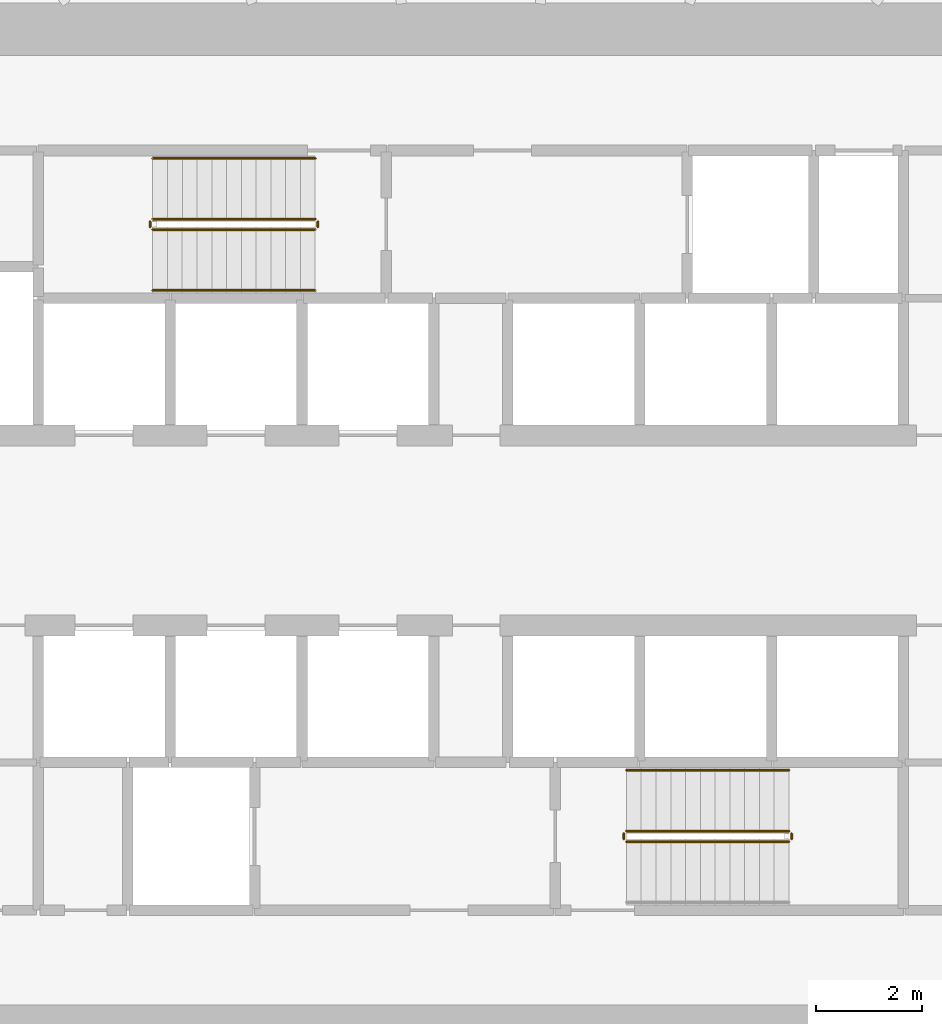
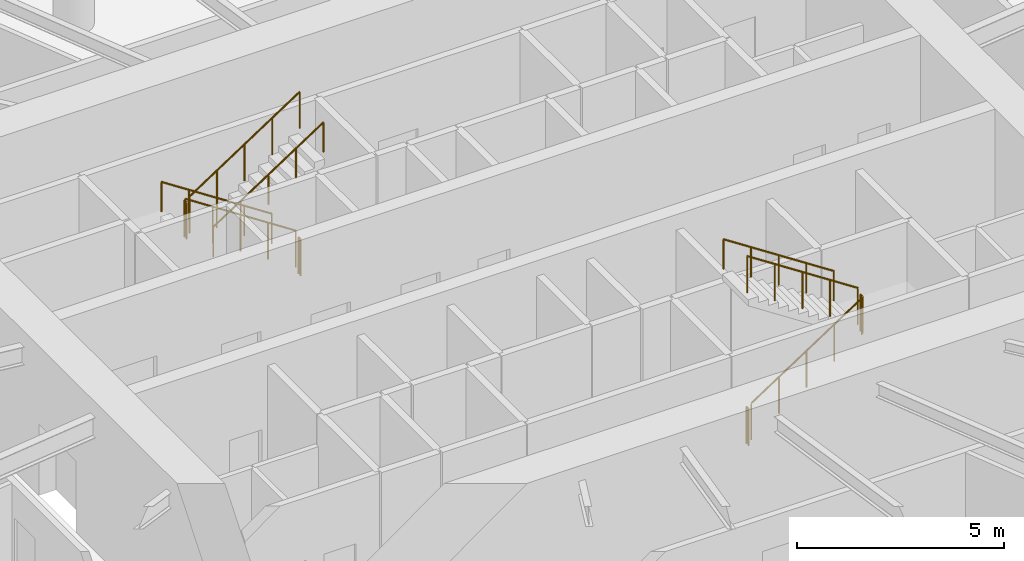
# One storey, part 17 of 18: 11 railings.
"""IFC4 building model written with IfcOpenShell, lengths in metres."""

from ifc_helpers import new_model, si_unit, direction, frame, origin, origin_2d, place, context, subcontext, project, spatial, circle, extrude, material, type_object, element, save


model = new_model("IFC4")

# Units and contexts
model_context = context("Model", 3, precision=1e-05, world=origin(), true_north=direction((0.0, 1.0)))
body_context = subcontext(model_context, "Body", "Model", "MODEL_VIEW")
ifc_project = project(units=[si_unit("LENGTHUNIT", "METRE"), si_unit("AREAUNIT", "SQUARE_METRE"), si_unit("VOLUMEUNIT", "CUBIC_METRE"), si_unit("PLANEANGLEUNIT", "RADIAN"), si_unit("MASSUNIT", "GRAM", prefix="KILO")], contexts=[model_context])

# Site, building, storey
site_placement = place(None, origin())
site = spatial("IfcSite", under=ifc_project, at=site_placement, CompositionType="ELEMENT")
building_placement = place(site_placement, origin())
building = spatial("IfcBuilding", under=site, at=building_placement, Name="Spindrift Exchange Tower", CompositionType="ELEMENT")
storey_placement = place(building_placement, frame((0.0, 0.0, 66.60009765625)))
storey = spatial("IfcBuildingStorey", under=building, at=storey_placement, Name="L15", CompositionType="ELEMENT", Elevation=66.60009765625)

# Railings
ifc_material_1 = material(Name="Steel balustrade", Category="steel")
railing_type_1 = type_object("IfcRailingType", Name="RL-STAIR-GUARD", PredefinedType="GUARDRAIL", material=ifc_material_1)
railing_1_placement = place(storey_placement, frame((49.050048828125, 53.89990234375, 0.183349609375)))
element("IfcRailing", 1, at=railing_1_placement, inside=storey, type_object=railing_type_1, Name="L15 ST1 stair guard 1", PredefinedType="GUARDRAIL", context=body_context, shape_type="SweptSolid", body=[
    extrude(circle(Radius=0.02392578125, at=origin_2d()), frame((0.0, 0.0, 1.076171875), z_axis=(-0.836633000464, 0.0, 0.547763838287), x_axis=(0.0, -1.0, 0.0)), (0.0, 0.0, 1.0), 3.681396484375),
    extrude(circle(Radius=0.02099609375, at=origin_2d()), origin(), (0.0, 0.0, 1.0), 1.052001953125),
    extrude(circle(Radius=0.02099609375, at=origin_2d()), frame((-0.77001953125, 0.0, 0.504150390625)), (0.0, 0.0, 1.0), 1.052001953125),
    extrude(circle(Radius=0.02099609375, at=origin_2d()), frame((-1.5400390625, 0.0, 1.00830078125)), (0.0, 0.0, 1.0), 1.052001953125),
    extrude(circle(Radius=0.02099609375, at=origin_2d()), frame((-2.31005859375, 0.0, 1.512451171875)), (0.0, 0.0, 1.0), 1.052001953125),
    extrude(circle(Radius=0.02099609375, at=origin_2d()), frame((-3.080078125, 0.0, 2.0166015625)), (0.0, 0.0, 1.0), 1.052001953125),
])
railing_2_placement = place(storey_placement, frame((45.919921875, 53.85009765625, 2.199951171875)))
element("IfcRailing", 2, at=railing_2_placement, inside=storey, type_object=railing_type_1, Name="L15 ST1 stair guard 2", PredefinedType="GUARDRAIL", context=body_context, shape_type="SweptSolid", body=[
    extrude(circle(Radius=0.02392578125, at=origin_2d()), frame((0.0, 0.0, 1.076171875), z_axis=(0.0, -1.0, 0.0), x_axis=(1.0, 0.0, 0.0)), (0.0, 0.0, 1.0), 0.10009765625),
    extrude(circle(Radius=0.02099609375, at=origin_2d()), origin(), (0.0, 0.0, 1.0), 1.052001953125),
    extrude(circle(Radius=0.02099609375, at=origin_2d()), frame((0.0, -0.10009765625, 0.0)), (0.0, 0.0, 1.0), 1.052001953125),
])
railing_3_placement = place(storey_placement, frame((45.969970703125, 53.699951171875, 2.38330078125)))
element("IfcRailing", 3, at=railing_3_placement, inside=storey, type_object=railing_type_1, Name="L15 ST1 stair guard 3", PredefinedType="GUARDRAIL", context=body_context, shape_type="SweptSolid", body=[
    extrude(circle(Radius=0.02392578125, at=origin_2d()), frame((0.0, 0.0, 1.076171875), z_axis=(0.836633000464, 0.0, 0.547763838287), x_axis=(0.0, 1.0, 0.0)), (0.0, 0.0, 1.0), 3.681396484375),
    extrude(circle(Radius=0.02099609375, at=origin_2d()), origin(), (0.0, 0.0, 1.0), 1.052001953125),
    extrude(circle(Radius=0.02099609375, at=origin_2d()), frame((0.77001953125, 0.0, 0.504150390625)), (0.0, 0.0, 1.0), 1.052001953125),
    extrude(circle(Radius=0.02099609375, at=origin_2d()), frame((1.5400390625, 0.0, 1.00830078125)), (0.0, 0.0, 1.0), 1.052001953125),
    extrude(circle(Radius=0.02099609375, at=origin_2d()), frame((2.31005859375, 0.0, 1.512451171875)), (0.0, 0.0, 1.0), 1.052001953125),
    extrude(circle(Radius=0.02099609375, at=origin_2d()), frame((3.080078125, 0.0, 2.0166015625)), (0.0, 0.0, 1.0), 1.052001953125),
])
railing_4_placement = place(storey_placement, frame((49.10009765625, 53.85009765625, 0.0)))
element("IfcRailing", 4, at=railing_4_placement, inside=storey, type_object=railing_type_1, Name="L15 ST1 stair guard 4", PredefinedType="GUARDRAIL", context=body_context, shape_type="SweptSolid", body=[
    extrude(circle(Radius=0.02392578125, at=origin_2d()), frame((0.0, 0.0, 1.076171875), z_axis=(0.0, -1.0, 0.0), x_axis=(1.0, 0.0, 0.0)), (0.0, 0.0, 1.0), 0.10009765625),
    extrude(circle(Radius=0.02099609375, at=origin_2d()), origin(), (0.0, 0.0, 1.0), 1.052001953125),
    extrude(circle(Radius=0.02099609375, at=origin_2d()), frame((0.0, -0.10009765625, 0.0)), (0.0, 0.0, 1.0), 1.052001953125),
])
railing_5_placement = place(storey_placement, frame((54.949951171875, 42.10009765625, 0.183349609375)))
element("IfcRailing", 5, at=railing_5_placement, inside=storey, type_object=railing_type_1, Name="L15 ST2 stair guard 1", PredefinedType="GUARDRAIL", context=body_context, shape_type="SweptSolid", body=[
    extrude(circle(Radius=0.02392578125, at=origin_2d()), frame((0.0, 0.0, 1.076171875), z_axis=(0.836633000464, 0.0, 0.547763838287), x_axis=(0.0, 1.0, 0.0)), (0.0, 0.0, 1.0), 3.681396484375),
    extrude(circle(Radius=0.02099609375, at=origin_2d()), origin(), (0.0, 0.0, 1.0), 1.052001953125),
    extrude(circle(Radius=0.02099609375, at=origin_2d()), frame((0.77001953125, 0.0, 0.504150390625)), (0.0, 0.0, 1.0), 1.052001953125),
    extrude(circle(Radius=0.02099609375, at=origin_2d()), frame((1.5400390625, 0.0, 1.00830078125)), (0.0, 0.0, 1.0), 1.052001953125),
    extrude(circle(Radius=0.02099609375, at=origin_2d()), frame((2.31005859375, 0.0, 1.512451171875)), (0.0, 0.0, 1.0), 1.052001953125),
    extrude(circle(Radius=0.02099609375, at=origin_2d()), frame((3.080078125, 0.0, 2.0166015625)), (0.0, 0.0, 1.0), 1.052001953125),
])
railing_6_placement = place(storey_placement, frame((58.080078125, 42.14990234375, 2.199951171875)))
element("IfcRailing", 6, at=railing_6_placement, inside=storey, type_object=railing_type_1, Name="L15 ST2 stair guard 2", PredefinedType="GUARDRAIL", context=body_context, shape_type="SweptSolid", body=[
    extrude(circle(Radius=0.02392578125, at=origin_2d()), frame((0.0, 0.0, 1.076171875), z_axis=(0.0, 1.0, 0.0), x_axis=(-1.0, 0.0, 0.0)), (0.0, 0.0, 1.0), 0.10009765625),
    extrude(circle(Radius=0.02099609375, at=origin_2d()), origin(), (0.0, 0.0, 1.0), 1.052001953125),
    extrude(circle(Radius=0.02099609375, at=origin_2d()), frame((0.0, 0.10009765625, 0.0)), (0.0, 0.0, 1.0), 1.052001953125),
])
railing_7_placement = place(storey_placement, frame((58.030029296875, 42.300048828125, 2.38330078125)))
element("IfcRailing", 7, at=railing_7_placement, inside=storey, type_object=railing_type_1, Name="L15 ST2 stair guard 3", PredefinedType="GUARDRAIL", context=body_context, shape_type="SweptSolid", body=[
    extrude(circle(Radius=0.02392578125, at=origin_2d()), frame((0.0, 0.0, 1.076171875), z_axis=(-0.836633000464, 0.0, 0.547763838287), x_axis=(0.0, -1.0, 0.0)), (0.0, 0.0, 1.0), 3.681396484375),
    extrude(circle(Radius=0.02099609375, at=origin_2d()), origin(), (0.0, 0.0, 1.0), 1.052001953125),
    extrude(circle(Radius=0.02099609375, at=origin_2d()), frame((-0.77001953125, 0.0, 0.504150390625)), (0.0, 0.0, 1.0), 1.052001953125),
    extrude(circle(Radius=0.02099609375, at=origin_2d()), frame((-1.5400390625, 0.0, 1.00830078125)), (0.0, 0.0, 1.0), 1.052001953125),
    extrude(circle(Radius=0.02099609375, at=origin_2d()), frame((-2.31005859375, 0.0, 1.512451171875)), (0.0, 0.0, 1.0), 1.052001953125),
    extrude(circle(Radius=0.02099609375, at=origin_2d()), frame((-3.080078125, 0.0, 2.0166015625)), (0.0, 0.0, 1.0), 1.052001953125),
])
railing_8_placement = place(storey_placement, frame((54.89990234375, 42.14990234375, 0.0)))
element("IfcRailing", 8, at=railing_8_placement, inside=storey, type_object=railing_type_1, Name="L15 ST2 stair guard 4", PredefinedType="GUARDRAIL", context=body_context, shape_type="SweptSolid", body=[
    extrude(circle(Radius=0.02392578125, at=origin_2d()), frame((0.0, 0.0, 1.076171875), z_axis=(0.0, 1.0, 0.0), x_axis=(-1.0, 0.0, 0.0)), (0.0, 0.0, 1.0), 0.10009765625),
    extrude(circle(Radius=0.02099609375, at=origin_2d()), origin(), (0.0, 0.0, 1.0), 1.052001953125),
    extrude(circle(Radius=0.02099609375, at=origin_2d()), frame((0.0, 0.10009765625, 0.0)), (0.0, 0.0, 1.0), 1.052001953125),
])
ifc_material_2 = material(Name="Steel tubular handrail", Category="steel")
railing_type_2 = type_object("IfcRailingType", Name="RL-STAIR-HAND", PredefinedType="HANDRAIL", material=ifc_material_2)
railing_9_placement = place(storey_placement, frame((49.050048828125, 55.050048828125, 0.183349609375)))
element("IfcRailing", 9, at=railing_9_placement, inside=storey, type_object=railing_type_2, Name="L15 ST1 stair handrail 1", PredefinedType="HANDRAIL", context=body_context, shape_type="SweptSolid", body=[
    extrude(circle(Radius=0.02392578125, at=origin_2d()), frame((0.0, 0.0, 0.8759765625), z_axis=(-0.836633000464, 0.0, 0.547763838287), x_axis=(0.0, -1.0, 0.0)), (0.0, 0.0, 1.0), 3.681396484375),
    extrude(circle(Radius=0.02099609375, at=origin_2d()), origin(), (0.0, 0.0, 1.0), 0.851806640625),
    extrude(circle(Radius=0.02099609375, at=origin_2d()), frame((-0.77001953125, 0.0, 0.504150390625)), (0.0, 0.0, 1.0), 0.851806640625),
    extrude(circle(Radius=0.02099609375, at=origin_2d()), frame((-1.5400390625, 0.0, 1.00830078125)), (0.0, 0.0, 1.0), 0.851806640625),
    extrude(circle(Radius=0.02099609375, at=origin_2d()), frame((-2.31005859375, 0.0, 1.512451171875)), (0.0, 0.0, 1.0), 0.851806640625),
    extrude(circle(Radius=0.02099609375, at=origin_2d()), frame((-3.080078125, 0.0, 2.0166015625)), (0.0, 0.0, 1.0), 0.851806640625),
])
railing_10_placement = place(storey_placement, frame((45.969970703125, 52.550048828125, 2.38330078125)))
element("IfcRailing", 10, at=railing_10_placement, inside=storey, type_object=railing_type_2, Name="L15 ST1 stair handrail 2", PredefinedType="HANDRAIL", context=body_context, shape_type="SweptSolid", body=[
    extrude(circle(Radius=0.02392578125, at=origin_2d()), frame((0.0, 0.0, 0.8759765625), z_axis=(0.836633000464, 0.0, 0.547763838287), x_axis=(0.0, 1.0, 0.0)), (0.0, 0.0, 1.0), 3.681396484375),
    extrude(circle(Radius=0.02099609375, at=origin_2d()), origin(), (0.0, 0.0, 1.0), 0.851806640625),
    extrude(circle(Radius=0.02099609375, at=origin_2d()), frame((0.77001953125, 0.0, 0.504150390625)), (0.0, 0.0, 1.0), 0.851806640625),
    extrude(circle(Radius=0.02099609375, at=origin_2d()), frame((1.5400390625, 0.0, 1.00830078125)), (0.0, 0.0, 1.0), 0.851806640625),
    extrude(circle(Radius=0.02099609375, at=origin_2d()), frame((2.31005859375, 0.0, 1.512451171875)), (0.0, 0.0, 1.0), 0.851806640625),
    extrude(circle(Radius=0.02099609375, at=origin_2d()), frame((3.080078125, 0.0, 2.0166015625)), (0.0, 0.0, 1.0), 0.851806640625),
])
railing_11_placement = place(storey_placement, frame((58.030029296875, 43.449951171875, 2.38330078125)))
element("IfcRailing", 11, at=railing_11_placement, inside=storey, type_object=railing_type_2, Name="L15 ST2 stair handrail 2", PredefinedType="HANDRAIL", context=body_context, shape_type="SweptSolid", body=[
    extrude(circle(Radius=0.02392578125, at=origin_2d()), frame((0.0, 0.0, 0.8759765625), z_axis=(-0.836633000464, 0.0, 0.547763838287), x_axis=(0.0, -1.0, 0.0)), (0.0, 0.0, 1.0), 3.681396484375),
    extrude(circle(Radius=0.02099609375, at=origin_2d()), origin(), (0.0, 0.0, 1.0), 0.851806640625),
    extrude(circle(Radius=0.02099609375, at=origin_2d()), frame((-0.77001953125, 0.0, 0.504150390625)), (0.0, 0.0, 1.0), 0.851806640625),
    extrude(circle(Radius=0.02099609375, at=origin_2d()), frame((-1.5400390625, 0.0, 1.00830078125)), (0.0, 0.0, 1.0), 0.851806640625),
    extrude(circle(Radius=0.02099609375, at=origin_2d()), frame((-2.31005859375, 0.0, 1.512451171875)), (0.0, 0.0, 1.0), 0.851806640625),
    extrude(circle(Radius=0.02099609375, at=origin_2d()), frame((-3.080078125, 0.0, 2.0166015625)), (0.0, 0.0, 1.0), 0.851806640625),
])

save(model, "model.ifc")
